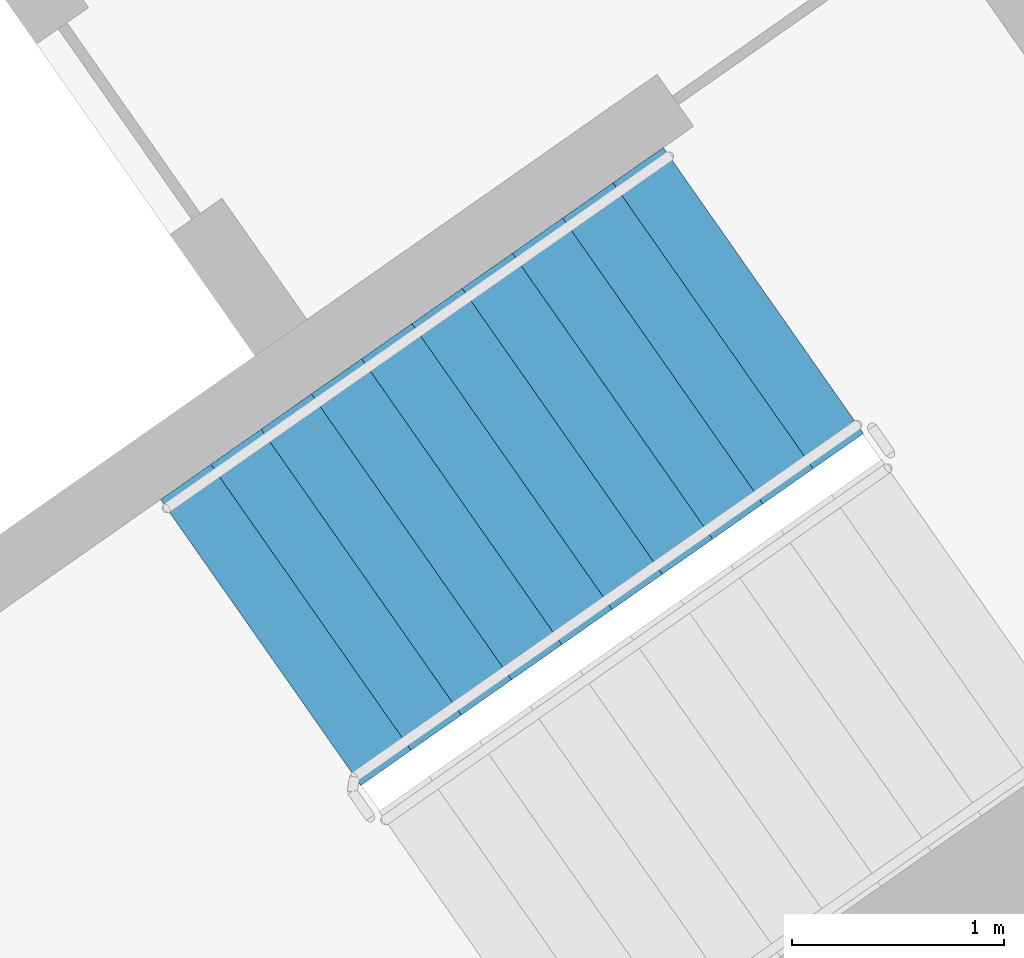
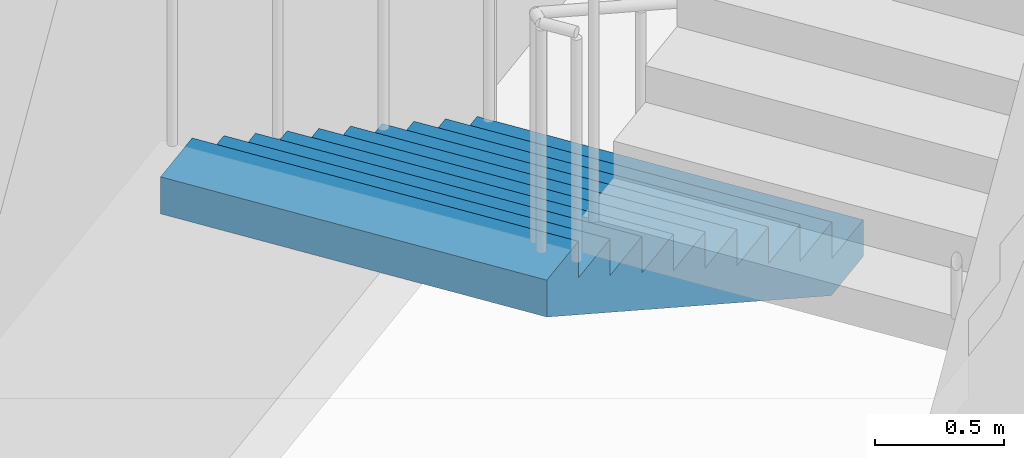
# One storey, part 16 of 27: 1 stair flight, 1 element without a shape of its own.
"""IFC4 building model written with IfcOpenShell, lengths in metres."""

from ifc_helpers import new_model, si_unit, direction, frame, origin, place, context, subcontext, project, spatial, faceted_brep, material, type_object, element, aggregate, save


model = new_model("IFC4")

# Units and contexts
model_context = context("Model", 3, precision=1e-05, world=origin(), true_north=direction((0.0, 1.0)))
body_context = subcontext(model_context, "Body", "Model", "MODEL_VIEW")
ifc_project = project(units=[si_unit("LENGTHUNIT", "METRE"), si_unit("AREAUNIT", "SQUARE_METRE"), si_unit("VOLUMEUNIT", "CUBIC_METRE"), si_unit("PLANEANGLEUNIT", "RADIAN"), si_unit("MASSUNIT", "GRAM", prefix="KILO")], contexts=[model_context])

# Site, building, storey
site_placement = place(None, origin())
site = spatial("IfcSite", under=ifc_project, at=site_placement, CompositionType="ELEMENT")
building_placement = place(site_placement, origin())
building = spatial("IfcBuilding", under=site, at=building_placement, Name="Qamariyya Broadcast Tower", CompositionType="ELEMENT")
storey_placement = place(building_placement, frame((0.0, 0.0, 187.300048828125)))
storey = spatial("IfcBuildingStorey", under=building, at=storey_placement, Name="L44", CompositionType="ELEMENT", Elevation=187.300048828125)

# Stair, stair flight
ifc_material = material(Name="Concrete C50/60", Category="concrete")
stair_type = type_object("IfcStairType", Name="Exit stair 22 risers of 173 mm", PredefinedType="HALF_TURN_STAIR", material=ifc_material)
stair_placement = place(storey_placement, origin())
stair = element("IfcStair", 1, at=stair_placement, inside=storey, type_object=stair_type, Name="L44 Stair E1", PredefinedType="HALF_TURN_STAIR")
stair_flight_type = type_object("IfcStairFlightType", Name="Exit stair flight 11 risers of 173 mm", PredefinedType="STRAIGHT", material=ifc_material)
stair_flight_placement = place(storey_placement, frame((46.036376953125, -55.508056640625, 0.0), z_axis=(0.0, 0.0, 1.0), x_axis=(-0.819152044289, -0.573576436351, 0.0)))
stair_flight = element("IfcStairFlight", 2, at=stair_flight_placement, type_object=stair_flight_type, Name="ST-E1 flight 1", NumberOfRisers=11, NumberOfTreads=10, PredefinedType="STRAIGHT", RiserHeight=0.172727273, TreadLength=0.29, context=body_context, shape_type="Brep", body=[
    faceted_brep([(0.0, 0.824951171875, 0.0), (0.0, 0.824951171875, 0.172607421875), (0.2900390625, 0.824951171875, 0.172607421875), (0.2900390625, 0.824951171875, 0.345458984375), (0.580078125, 0.824951171875, 0.345458984375), (0.580078125, 0.824951171875, 0.51806640625), (0.8701171875, 0.824951171875, 0.51806640625), (0.8701171875, 0.824951171875, 0.69091796875), (1.159912109375, 0.824951171875, 0.69091796875), (1.159912109375, 0.824951171875, 0.863525390625), (1.449951171875, 0.824951171875, 0.863525390625), (1.449951171875, 0.824951171875, 1.036376953125), (1.739990234375, 0.824951171875, 1.036376953125), (1.739990234375, 0.824951171875, 1.208984375), (2.030029296875, 0.824951171875, 1.208984375), (2.030029296875, 0.824951171875, 1.3818359375), (2.320068359375, 0.824951171875, 1.3818359375), (2.320068359375, 0.824951171875, 1.554443359375), (2.610107421875, 0.824951171875, 1.554443359375), (2.610107421875, 0.824951171875, 1.727294921875), (2.89990234375, 0.824951171875, 1.727294921875), (2.89990234375, 0.824951171875, 1.552734375), (0.29296875, 0.824951171875, 0.0), (0.29296875, -0.824951171875, 0.0), (2.89990234375, -0.824951171875, 1.552734375), (2.89990234375, -0.824951171875, 1.727294921875), (2.610107421875, -0.824951171875, 1.727294921875), (2.610107421875, -0.824951171875, 1.554443359375), (2.320068359375, -0.824951171875, 1.554443359375), (2.320068359375, -0.824951171875, 1.3818359375), (2.030029296875, -0.824951171875, 1.3818359375), (2.030029296875, -0.824951171875, 1.208984375), (1.739990234375, -0.824951171875, 1.208984375), (1.739990234375, -0.824951171875, 1.036376953125), (1.449951171875, -0.824951171875, 1.036376953125), (1.449951171875, -0.824951171875, 0.863525390625), (1.159912109375, -0.824951171875, 0.863525390625), (1.159912109375, -0.824951171875, 0.69091796875), (0.8701171875, -0.824951171875, 0.69091796875), (0.8701171875, -0.824951171875, 0.51806640625), (0.580078125, -0.824951171875, 0.51806640625), (0.580078125, -0.824951171875, 0.345458984375), (0.2900390625, -0.824951171875, 0.345458984375), (0.2900390625, -0.824951171875, 0.172607421875), (0.0, -0.824951171875, 0.172607421875), (0.0, -0.824951171875, 0.0), (0.0, 0.10009765625, 0.0), (0.0, 0.086669921875, 0.0), (0.0, 0.0732421875, 0.0), (0.0, 0.06005859375, 0.0), (0.0, 0.046630859375, 0.0), (0.0, 0.033447265625, 0.0), (0.0, 0.02001953125, 0.0), (0.0, 0.006591796875, 0.0), (0.0, -0.006591796875, 0.0), (0.0, -0.02001953125, 0.0), (0.0, -0.033447265625, 0.0), (0.0, -0.046630859375, 0.0), (0.0, -0.06005859375, 0.0), (0.0, -0.0732421875, 0.0), (0.0, -0.086669921875, 0.0), (0.0, -0.10009765625, 0.0), (0.0, -0.10009765625, 0.172607421875), (0.0, -0.086669921875, 0.172607421875), (0.0, -0.0732421875, 0.172607421875), (0.0, -0.06005859375, 0.172607421875), (0.0, -0.046630859375, 0.172607421875), (0.0, -0.033447265625, 0.172607421875), (0.0, -0.02001953125, 0.172607421875), (0.0, -0.006591796875, 0.172607421875), (0.0, 0.006591796875, 0.172607421875), (0.0, 0.02001953125, 0.172607421875), (0.0, 0.033447265625, 0.172607421875), (0.0, 0.046630859375, 0.172607421875), (0.0, 0.06005859375, 0.172607421875), (0.0, 0.0732421875, 0.172607421875), (0.0, 0.086669921875, 0.172607421875), (0.0, 0.10009765625, 0.172607421875), (0.2900390625, -0.10009765625, 0.172607421875), (0.2900390625, -0.086669921875, 0.172607421875), (0.2900390625, -0.0732421875, 0.172607421875), (0.2900390625, -0.06005859375, 0.172607421875), (0.2900390625, -0.046630859375, 0.172607421875), (0.2900390625, -0.033447265625, 0.172607421875), (0.2900390625, -0.02001953125, 0.172607421875), (0.2900390625, -0.006591796875, 0.172607421875), (0.2900390625, 0.006591796875, 0.172607421875), (0.2900390625, 0.02001953125, 0.172607421875), (0.2900390625, 0.033447265625, 0.172607421875), (0.2900390625, 0.046630859375, 0.172607421875), (0.2900390625, 0.06005859375, 0.172607421875), (0.2900390625, 0.0732421875, 0.172607421875), (0.2900390625, 0.086669921875, 0.172607421875), (0.2900390625, 0.10009765625, 0.172607421875), (0.2900390625, -0.10009765625, 0.345458984375), (0.2900390625, -0.086669921875, 0.345458984375), (0.2900390625, -0.0732421875, 0.345458984375), (0.2900390625, -0.06005859375, 0.345458984375), (0.2900390625, -0.046630859375, 0.345458984375), (0.2900390625, -0.033447265625, 0.345458984375), (0.2900390625, -0.02001953125, 0.345458984375), (0.2900390625, -0.006591796875, 0.345458984375), (0.2900390625, 0.006591796875, 0.345458984375), (0.2900390625, 0.02001953125, 0.345458984375), (0.2900390625, 0.033447265625, 0.345458984375), (0.2900390625, 0.046630859375, 0.345458984375), (0.2900390625, 0.06005859375, 0.345458984375), (0.2900390625, 0.0732421875, 0.345458984375), (0.2900390625, 0.086669921875, 0.345458984375), (0.2900390625, 0.10009765625, 0.345458984375), (0.580078125, -0.10009765625, 0.345458984375), (0.580078125, -0.086669921875, 0.345458984375), (0.580078125, -0.0732421875, 0.345458984375), (0.580078125, -0.06005859375, 0.345458984375), (0.580078125, -0.046630859375, 0.345458984375), (0.580078125, -0.033447265625, 0.345458984375), (0.580078125, -0.02001953125, 0.345458984375), (0.580078125, -0.006591796875, 0.345458984375), (0.580078125, 0.006591796875, 0.345458984375), (0.580078125, 0.02001953125, 0.345458984375), (0.580078125, 0.033447265625, 0.345458984375), (0.580078125, 0.046630859375, 0.345458984375), (0.580078125, 0.06005859375, 0.345458984375), (0.580078125, 0.0732421875, 0.345458984375), (0.580078125, 0.086669921875, 0.345458984375), (0.580078125, 0.10009765625, 0.345458984375), (0.580078125, -0.10009765625, 0.51806640625), (0.580078125, -0.086669921875, 0.51806640625), (0.580078125, -0.0732421875, 0.51806640625), (0.580078125, -0.06005859375, 0.51806640625), (0.580078125, -0.046630859375, 0.51806640625), (0.580078125, -0.033447265625, 0.51806640625), (0.580078125, -0.02001953125, 0.51806640625), (0.580078125, -0.006591796875, 0.51806640625), (0.580078125, 0.006591796875, 0.51806640625), (0.580078125, 0.02001953125, 0.51806640625), (0.580078125, 0.033447265625, 0.51806640625), (0.580078125, 0.046630859375, 0.51806640625), (0.580078125, 0.06005859375, 0.51806640625), (0.580078125, 0.0732421875, 0.51806640625), (0.580078125, 0.086669921875, 0.51806640625), (0.580078125, 0.10009765625, 0.51806640625), (0.8701171875, -0.10009765625, 0.51806640625), (0.8701171875, -0.086669921875, 0.51806640625), (0.8701171875, -0.0732421875, 0.51806640625), (0.8701171875, -0.06005859375, 0.51806640625), (0.8701171875, -0.046630859375, 0.51806640625), (0.8701171875, -0.033447265625, 0.51806640625), (0.8701171875, -0.02001953125, 0.51806640625), (0.8701171875, -0.006591796875, 0.51806640625), (0.8701171875, 0.006591796875, 0.51806640625), (0.8701171875, 0.02001953125, 0.51806640625), (0.8701171875, 0.033447265625, 0.51806640625), (0.8701171875, 0.046630859375, 0.51806640625), (0.8701171875, 0.06005859375, 0.51806640625), (0.8701171875, 0.0732421875, 0.51806640625), (0.8701171875, 0.086669921875, 0.51806640625), (0.8701171875, 0.10009765625, 0.51806640625), (0.8701171875, -0.10009765625, 0.69091796875), (0.8701171875, -0.086669921875, 0.69091796875), (0.8701171875, -0.0732421875, 0.69091796875), (0.8701171875, -0.06005859375, 0.69091796875), (0.8701171875, -0.046630859375, 0.69091796875), (0.8701171875, -0.033447265625, 0.69091796875), (0.8701171875, -0.02001953125, 0.69091796875), (0.8701171875, -0.006591796875, 0.69091796875), (0.8701171875, 0.006591796875, 0.69091796875), (0.8701171875, 0.02001953125, 0.69091796875), (0.8701171875, 0.033447265625, 0.69091796875), (0.8701171875, 0.046630859375, 0.69091796875), (0.8701171875, 0.06005859375, 0.69091796875), (0.8701171875, 0.0732421875, 0.69091796875), (0.8701171875, 0.086669921875, 0.69091796875), (0.8701171875, 0.10009765625, 0.69091796875), (1.159912109375, -0.10009765625, 0.69091796875), (1.159912109375, -0.086669921875, 0.69091796875), (1.159912109375, -0.0732421875, 0.69091796875), (1.159912109375, -0.06005859375, 0.69091796875), (1.159912109375, -0.046630859375, 0.69091796875), (1.159912109375, -0.033447265625, 0.69091796875), (1.159912109375, -0.02001953125, 0.69091796875), (1.159912109375, -0.006591796875, 0.69091796875), (1.159912109375, 0.006591796875, 0.69091796875), (1.159912109375, 0.02001953125, 0.69091796875), (1.159912109375, 0.033447265625, 0.69091796875), (1.159912109375, 0.046630859375, 0.69091796875), (1.159912109375, 0.06005859375, 0.69091796875), (1.159912109375, 0.0732421875, 0.69091796875), (1.159912109375, 0.086669921875, 0.69091796875), (1.159912109375, 0.10009765625, 0.69091796875), (1.159912109375, -0.10009765625, 0.863525390625), (1.159912109375, -0.086669921875, 0.863525390625), (1.159912109375, -0.0732421875, 0.863525390625), (1.159912109375, -0.06005859375, 0.863525390625), (1.159912109375, -0.046630859375, 0.863525390625), (1.159912109375, -0.033447265625, 0.863525390625), (1.159912109375, -0.02001953125, 0.863525390625), (1.159912109375, -0.006591796875, 0.863525390625), (1.159912109375, 0.006591796875, 0.863525390625), (1.159912109375, 0.02001953125, 0.863525390625), (1.159912109375, 0.033447265625, 0.863525390625), (1.159912109375, 0.046630859375, 0.863525390625), (1.159912109375, 0.06005859375, 0.863525390625), (1.159912109375, 0.0732421875, 0.863525390625), (1.159912109375, 0.086669921875, 0.863525390625), (1.159912109375, 0.10009765625, 0.863525390625), (1.449951171875, -0.10009765625, 0.863525390625), (1.449951171875, -0.086669921875, 0.863525390625), (1.449951171875, -0.0732421875, 0.863525390625), (1.449951171875, -0.06005859375, 0.863525390625), (1.449951171875, -0.046630859375, 0.863525390625), (1.449951171875, -0.033447265625, 0.863525390625), (1.449951171875, -0.02001953125, 0.863525390625), (1.449951171875, -0.006591796875, 0.863525390625), (1.449951171875, 0.006591796875, 0.863525390625), (1.449951171875, 0.02001953125, 0.863525390625), (1.449951171875, 0.033447265625, 0.863525390625), (1.449951171875, 0.046630859375, 0.863525390625), (1.449951171875, 0.06005859375, 0.863525390625), (1.449951171875, 0.0732421875, 0.863525390625), (1.449951171875, 0.086669921875, 0.863525390625), (1.449951171875, 0.10009765625, 0.863525390625), (1.449951171875, -0.10009765625, 1.036376953125), (1.449951171875, -0.086669921875, 1.036376953125), (1.449951171875, -0.0732421875, 1.036376953125), (1.449951171875, -0.06005859375, 1.036376953125), (1.449951171875, -0.046630859375, 1.036376953125), (1.449951171875, -0.033447265625, 1.036376953125), (1.449951171875, -0.02001953125, 1.036376953125), (1.449951171875, -0.006591796875, 1.036376953125), (1.449951171875, 0.006591796875, 1.036376953125), (1.449951171875, 0.02001953125, 1.036376953125), (1.449951171875, 0.033447265625, 1.036376953125), (1.449951171875, 0.046630859375, 1.036376953125), (1.449951171875, 0.06005859375, 1.036376953125), (1.449951171875, 0.0732421875, 1.036376953125), (1.449951171875, 0.086669921875, 1.036376953125), (1.449951171875, 0.10009765625, 1.036376953125), (1.739990234375, -0.10009765625, 1.036376953125), (1.739990234375, -0.086669921875, 1.036376953125), (1.739990234375, -0.0732421875, 1.036376953125), (1.739990234375, -0.06005859375, 1.036376953125), (1.739990234375, -0.046630859375, 1.036376953125), (1.739990234375, -0.033447265625, 1.036376953125), (1.739990234375, -0.02001953125, 1.036376953125), (1.739990234375, -0.006591796875, 1.036376953125), (1.739990234375, 0.006591796875, 1.036376953125), (1.739990234375, 0.02001953125, 1.036376953125), (1.739990234375, 0.033447265625, 1.036376953125), (1.739990234375, 0.046630859375, 1.036376953125), (1.739990234375, 0.06005859375, 1.036376953125), (1.739990234375, 0.0732421875, 1.036376953125), (1.739990234375, 0.086669921875, 1.036376953125), (1.739990234375, 0.10009765625, 1.036376953125), (1.739990234375, -0.10009765625, 1.208984375), (1.739990234375, -0.086669921875, 1.208984375), (1.739990234375, -0.0732421875, 1.208984375), (1.739990234375, -0.06005859375, 1.208984375), (1.739990234375, -0.046630859375, 1.208984375), (1.739990234375, -0.033447265625, 1.208984375), (1.739990234375, -0.02001953125, 1.208984375), (1.739990234375, -0.006591796875, 1.208984375), (1.739990234375, 0.006591796875, 1.208984375), (1.739990234375, 0.02001953125, 1.208984375), (1.739990234375, 0.033447265625, 1.208984375), (1.739990234375, 0.046630859375, 1.208984375), (1.739990234375, 0.06005859375, 1.208984375), (1.739990234375, 0.0732421875, 1.208984375), (1.739990234375, 0.086669921875, 1.208984375), (1.739990234375, 0.10009765625, 1.208984375), (2.030029296875, -0.10009765625, 1.208984375), (2.030029296875, -0.086669921875, 1.208984375), (2.030029296875, -0.0732421875, 1.208984375), (2.030029296875, -0.06005859375, 1.208984375), (2.030029296875, -0.046630859375, 1.208984375), (2.030029296875, -0.033447265625, 1.208984375), (2.030029296875, -0.02001953125, 1.208984375), (2.030029296875, -0.006591796875, 1.208984375), (2.030029296875, 0.006591796875, 1.208984375), (2.030029296875, 0.02001953125, 1.208984375), (2.030029296875, 0.033447265625, 1.208984375), (2.030029296875, 0.046630859375, 1.208984375), (2.030029296875, 0.06005859375, 1.208984375), (2.030029296875, 0.0732421875, 1.208984375), (2.030029296875, 0.086669921875, 1.208984375), (2.030029296875, 0.10009765625, 1.208984375), (2.030029296875, -0.10009765625, 1.3818359375), (2.030029296875, -0.086669921875, 1.3818359375), (2.030029296875, -0.0732421875, 1.3818359375), (2.030029296875, -0.06005859375, 1.3818359375), (2.030029296875, -0.046630859375, 1.3818359375), (2.030029296875, -0.033447265625, 1.3818359375), (2.030029296875, -0.02001953125, 1.3818359375), (2.030029296875, -0.006591796875, 1.3818359375), (2.030029296875, 0.006591796875, 1.3818359375), (2.030029296875, 0.02001953125, 1.3818359375), (2.030029296875, 0.033447265625, 1.3818359375), (2.030029296875, 0.046630859375, 1.3818359375), (2.030029296875, 0.06005859375, 1.3818359375), (2.030029296875, 0.0732421875, 1.3818359375), (2.030029296875, 0.086669921875, 1.3818359375), (2.030029296875, 0.10009765625, 1.3818359375), (2.320068359375, -0.10009765625, 1.3818359375), (2.320068359375, -0.086669921875, 1.3818359375), (2.320068359375, -0.0732421875, 1.3818359375), (2.320068359375, -0.06005859375, 1.3818359375), (2.320068359375, -0.046630859375, 1.3818359375), (2.320068359375, -0.033447265625, 1.3818359375), (2.320068359375, -0.02001953125, 1.3818359375), (2.320068359375, -0.006591796875, 1.3818359375), (2.320068359375, 0.006591796875, 1.3818359375), (2.320068359375, 0.02001953125, 1.3818359375), (2.320068359375, 0.033447265625, 1.3818359375), (2.320068359375, 0.046630859375, 1.3818359375), (2.320068359375, 0.06005859375, 1.3818359375), (2.320068359375, 0.0732421875, 1.3818359375), (2.320068359375, 0.086669921875, 1.3818359375), (2.320068359375, 0.10009765625, 1.3818359375), (2.320068359375, -0.10009765625, 1.554443359375), (2.320068359375, -0.086669921875, 1.554443359375), (2.320068359375, -0.0732421875, 1.554443359375), (2.320068359375, -0.06005859375, 1.554443359375), (2.320068359375, -0.046630859375, 1.554443359375), (2.320068359375, -0.033447265625, 1.554443359375), (2.320068359375, -0.02001953125, 1.554443359375), (2.320068359375, -0.006591796875, 1.554443359375), (2.320068359375, 0.006591796875, 1.554443359375), (2.320068359375, 0.02001953125, 1.554443359375), (2.320068359375, 0.033447265625, 1.554443359375), (2.320068359375, 0.046630859375, 1.554443359375), (2.320068359375, 0.06005859375, 1.554443359375), (2.320068359375, 0.0732421875, 1.554443359375), (2.320068359375, 0.086669921875, 1.554443359375), (2.320068359375, 0.10009765625, 1.554443359375), (2.610107421875, -0.10009765625, 1.554443359375), (2.610107421875, -0.086669921875, 1.554443359375), (2.610107421875, -0.0732421875, 1.554443359375), (2.610107421875, -0.06005859375, 1.554443359375), (2.610107421875, -0.046630859375, 1.554443359375), (2.610107421875, -0.033447265625, 1.554443359375), (2.610107421875, -0.02001953125, 1.554443359375), (2.610107421875, -0.006591796875, 1.554443359375), (2.610107421875, 0.006591796875, 1.554443359375), (2.610107421875, 0.02001953125, 1.554443359375), (2.610107421875, 0.033447265625, 1.554443359375), (2.610107421875, 0.046630859375, 1.554443359375), (2.610107421875, 0.06005859375, 1.554443359375), (2.610107421875, 0.0732421875, 1.554443359375), (2.610107421875, 0.086669921875, 1.554443359375), (2.610107421875, 0.10009765625, 1.554443359375), (2.610107421875, -0.10009765625, 1.727294921875), (2.610107421875, -0.086669921875, 1.727294921875), (2.610107421875, -0.0732421875, 1.727294921875), (2.610107421875, -0.06005859375, 1.727294921875), (2.610107421875, -0.046630859375, 1.727294921875), (2.610107421875, -0.033447265625, 1.727294921875), (2.610107421875, -0.02001953125, 1.727294921875), (2.610107421875, -0.006591796875, 1.727294921875), (2.610107421875, 0.006591796875, 1.727294921875), (2.610107421875, 0.02001953125, 1.727294921875), (2.610107421875, 0.033447265625, 1.727294921875), (2.610107421875, 0.046630859375, 1.727294921875), (2.610107421875, 0.06005859375, 1.727294921875), (2.610107421875, 0.0732421875, 1.727294921875), (2.610107421875, 0.086669921875, 1.727294921875), (2.610107421875, 0.10009765625, 1.727294921875), (2.89990234375, -0.10009765625, 1.727294921875), (2.89990234375, -0.086669921875, 1.727294921875), (2.89990234375, -0.0732421875, 1.727294921875), (2.89990234375, -0.06005859375, 1.727294921875), (2.89990234375, -0.046630859375, 1.727294921875), (2.89990234375, -0.033447265625, 1.727294921875), (2.89990234375, -0.02001953125, 1.727294921875), (2.89990234375, -0.006591796875, 1.727294921875), (2.89990234375, 0.006591796875, 1.727294921875), (2.89990234375, 0.02001953125, 1.727294921875), (2.89990234375, 0.033447265625, 1.727294921875), (2.89990234375, 0.046630859375, 1.727294921875), (2.89990234375, 0.06005859375, 1.727294921875), (2.89990234375, 0.0732421875, 1.727294921875), (2.89990234375, 0.086669921875, 1.727294921875), (2.89990234375, 0.10009765625, 1.727294921875), (2.89990234375, -0.10009765625, 1.552734375), (2.89990234375, -0.086669921875, 1.552734375), (2.89990234375, -0.0732421875, 1.552734375), (2.89990234375, -0.06005859375, 1.552734375), (2.89990234375, -0.046630859375, 1.552734375), (2.89990234375, -0.033447265625, 1.552734375), (2.89990234375, -0.02001953125, 1.552734375), (2.89990234375, -0.006591796875, 1.552734375), (2.89990234375, 0.006591796875, 1.552734375), (2.89990234375, 0.02001953125, 1.552734375), (2.89990234375, 0.033447265625, 1.552734375), (2.89990234375, 0.046630859375, 1.552734375), (2.89990234375, 0.06005859375, 1.552734375), (2.89990234375, 0.0732421875, 1.552734375), (2.89990234375, 0.086669921875, 1.552734375), (2.89990234375, 0.10009765625, 1.552734375), (0.29296875, -0.10009765625, 0.0), (0.29296875, -0.086669921875, 0.0), (0.29296875, -0.0732421875, 0.0), (0.29296875, -0.06005859375, 0.0), (0.29296875, -0.046630859375, 0.0), (0.29296875, -0.033447265625, 0.0), (0.29296875, -0.02001953125, 0.0), (0.29296875, -0.006591796875, 0.0), (0.29296875, 0.006591796875, 0.0), (0.29296875, 0.02001953125, 0.0), (0.29296875, 0.033447265625, 0.0), (0.29296875, 0.046630859375, 0.0), (0.29296875, 0.06005859375, 0.0), (0.29296875, 0.0732421875, 0.0), (0.29296875, 0.086669921875, 0.0), (0.29296875, 0.10009765625, 0.0)], [[[0, 1, 2, 3, 4, 5, 6, 7, 8, 9, 10, 11, 12, 13, 14, 15, 16, 17, 18, 19, 20, 21, 22]], [[23, 24, 25, 26, 27, 28, 29, 30, 31, 32, 33, 34, 35, 36, 37, 38, 39, 40, 41, 42, 43, 44, 45]], [[0, 46, 47, 48, 49, 50, 51, 52, 53, 54, 55, 56, 57, 58, 59, 60, 61, 45, 44, 62, 63, 64, 65, 66, 67, 68, 69, 70, 71, 72, 73, 74, 75, 76, 77, 1]], [[1, 77, 76, 75, 74, 73, 72, 71, 70, 69, 68, 67, 66, 65, 64, 63, 62, 44, 43, 78, 79, 80, 81, 82, 83, 84, 85, 86, 87, 88, 89, 90, 91, 92, 93, 2]], [[2, 93, 92, 91, 90, 89, 88, 87, 86, 85, 84, 83, 82, 81, 80, 79, 78, 43, 42, 94, 95, 96, 97, 98, 99, 100, 101, 102, 103, 104, 105, 106, 107, 108, 109, 3]], [[3, 109, 108, 107, 106, 105, 104, 103, 102, 101, 100, 99, 98, 97, 96, 95, 94, 42, 41, 110, 111, 112, 113, 114, 115, 116, 117, 118, 119, 120, 121, 122, 123, 124, 125, 4]], [[4, 125, 124, 123, 122, 121, 120, 119, 118, 117, 116, 115, 114, 113, 112, 111, 110, 41, 40, 126, 127, 128, 129, 130, 131, 132, 133, 134, 135, 136, 137, 138, 139, 140, 141, 5]], [[5, 141, 140, 139, 138, 137, 136, 135, 134, 133, 132, 131, 130, 129, 128, 127, 126, 40, 39, 142, 143, 144, 145, 146, 147, 148, 149, 150, 151, 152, 153, 154, 155, 156, 157, 6]], [[6, 157, 156, 155, 154, 153, 152, 151, 150, 149, 148, 147, 146, 145, 144, 143, 142, 39, 38, 158, 159, 160, 161, 162, 163, 164, 165, 166, 167, 168, 169, 170, 171, 172, 173, 7]], [[7, 173, 172, 171, 170, 169, 168, 167, 166, 165, 164, 163, 162, 161, 160, 159, 158, 38, 37, 174, 175, 176, 177, 178, 179, 180, 181, 182, 183, 184, 185, 186, 187, 188, 189, 8]], [[8, 189, 188, 187, 186, 185, 184, 183, 182, 181, 180, 179, 178, 177, 176, 175, 174, 37, 36, 190, 191, 192, 193, 194, 195, 196, 197, 198, 199, 200, 201, 202, 203, 204, 205, 9]], [[9, 205, 204, 203, 202, 201, 200, 199, 198, 197, 196, 195, 194, 193, 192, 191, 190, 36, 35, 206, 207, 208, 209, 210, 211, 212, 213, 214, 215, 216, 217, 218, 219, 220, 221, 10]], [[10, 221, 220, 219, 218, 217, 216, 215, 214, 213, 212, 211, 210, 209, 208, 207, 206, 35, 34, 222, 223, 224, 225, 226, 227, 228, 229, 230, 231, 232, 233, 234, 235, 236, 237, 11]], [[11, 237, 236, 235, 234, 233, 232, 231, 230, 229, 228, 227, 226, 225, 224, 223, 222, 34, 33, 238, 239, 240, 241, 242, 243, 244, 245, 246, 247, 248, 249, 250, 251, 252, 253, 12]], [[12, 253, 252, 251, 250, 249, 248, 247, 246, 245, 244, 243, 242, 241, 240, 239, 238, 33, 32, 254, 255, 256, 257, 258, 259, 260, 261, 262, 263, 264, 265, 266, 267, 268, 269, 13]], [[13, 269, 268, 267, 266, 265, 264, 263, 262, 261, 260, 259, 258, 257, 256, 255, 254, 32, 31, 270, 271, 272, 273, 274, 275, 276, 277, 278, 279, 280, 281, 282, 283, 284, 285, 14]], [[14, 285, 284, 283, 282, 281, 280, 279, 278, 277, 276, 275, 274, 273, 272, 271, 270, 31, 30, 286, 287, 288, 289, 290, 291, 292, 293, 294, 295, 296, 297, 298, 299, 300, 301, 15]], [[15, 301, 300, 299, 298, 297, 296, 295, 294, 293, 292, 291, 290, 289, 288, 287, 286, 30, 29, 302, 303, 304, 305, 306, 307, 308, 309, 310, 311, 312, 313, 314, 315, 316, 317, 16]], [[16, 317, 316, 315, 314, 313, 312, 311, 310, 309, 308, 307, 306, 305, 304, 303, 302, 29, 28, 318, 319, 320, 321, 322, 323, 324, 325, 326, 327, 328, 329, 330, 331, 332, 333, 17]], [[17, 333, 332, 331, 330, 329, 328, 327, 326, 325, 324, 323, 322, 321, 320, 319, 318, 28, 27, 334, 335, 336, 337, 338, 339, 340, 341, 342, 343, 344, 345, 346, 347, 348, 349, 18]], [[18, 349, 348, 347, 346, 345, 344, 343, 342, 341, 340, 339, 338, 337, 336, 335, 334, 27, 26, 350, 351, 352, 353, 354, 355, 356, 357, 358, 359, 360, 361, 362, 363, 364, 365, 19]], [[19, 365, 364, 363, 362, 361, 360, 359, 358, 357, 356, 355, 354, 353, 352, 351, 350, 26, 25, 366, 367, 368, 369, 370, 371, 372, 373, 374, 375, 376, 377, 378, 379, 380, 381, 20]], [[20, 381, 380, 379, 378, 377, 376, 375, 374, 373, 372, 371, 370, 369, 368, 367, 366, 25, 24, 382, 383, 384, 385, 386, 387, 388, 389, 390, 391, 392, 393, 394, 395, 396, 397, 21]], [[21, 397, 396, 395, 394, 393, 392, 391, 390, 389, 388, 387, 386, 385, 384, 383, 382, 24, 23, 398, 399, 400, 401, 402, 403, 404, 405, 406, 407, 408, 409, 410, 411, 412, 413, 22]], [[22, 413, 412, 411, 410, 409, 408, 407, 406, 405, 404, 403, 402, 401, 400, 399, 398, 23, 45, 61, 60, 59, 58, 57, 56, 55, 54, 53, 52, 51, 50, 49, 48, 47, 46, 0]]]),
])
aggregate(stair, [stair_flight])

save(model, "model.ifc")
